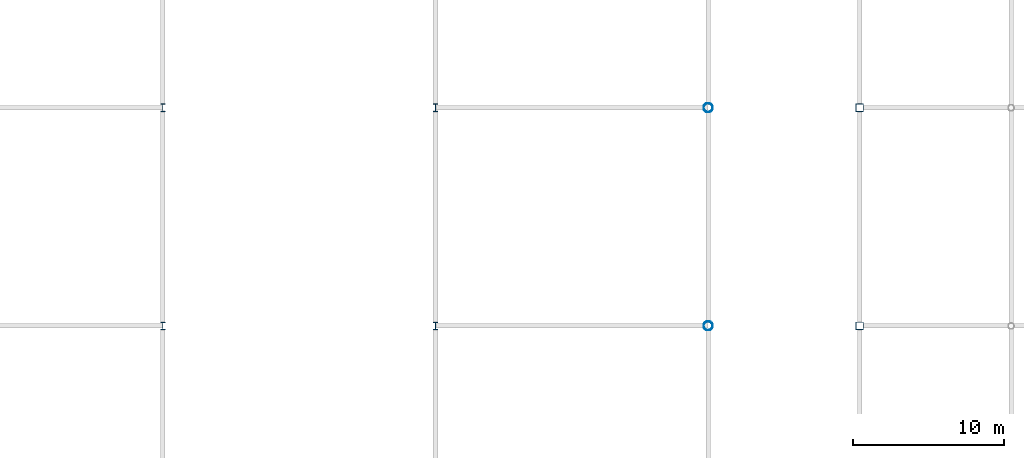
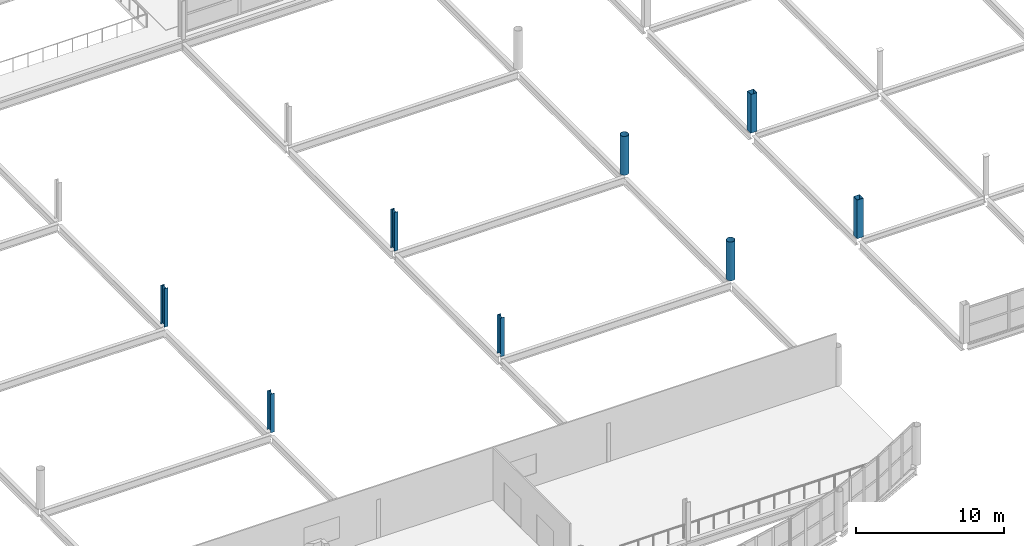
# One storey, part 6 of 134: 8 columns.
"""IFC4 building model written with IfcOpenShell, lengths in metres."""

from ifc_helpers import new_model, si_unit, direction, frame, origin, origin_2d, place, context, subcontext, project, spatial, hollow_rectangle, hollow_circle, i_section, extrude, material, material_profile, profile_set, type_object, element, save


model = new_model("IFC4")

# Units and contexts
model_context = context("Model", 3, precision=1e-05, world=origin(), true_north=direction((0.0, 1.0)))
body_context = subcontext(model_context, "Body", "Model", "MODEL_VIEW")
ifc_project = project(units=[si_unit("LENGTHUNIT", "METRE"), si_unit("AREAUNIT", "SQUARE_METRE"), si_unit("VOLUMEUNIT", "CUBIC_METRE"), si_unit("PLANEANGLEUNIT", "RADIAN"), si_unit("MASSUNIT", "GRAM", prefix="KILO")], contexts=[model_context])

# Site, building, storey
site_placement = place(None, origin())
site = spatial("IfcSite", under=ifc_project, at=site_placement, CompositionType="ELEMENT")
building_placement = place(site_placement, origin())
building = spatial("IfcBuilding", under=site, at=building_placement, Name="Tamarisk Ironworks Central Station", CompositionType="ELEMENT")
storey_placement = place(building_placement, frame((0.0, 0.0, 12.60009765625)))
storey = spatial("IfcBuildingStorey", under=building, at=storey_placement, Name="L02", CompositionType="ELEMENT", Elevation=12.60009765625)

# Columns
ifc_material_1 = material(Name="Structural steel S355J2", Category="steel")
ifc_material_profile_1 = material_profile(ifc_material_1, i_section(OverallWidth=0.300048828125, OverallDepth=0.5, WebThickness=0.014404296875, FlangeThickness=0.028076171875, at=origin_2d()), Name="HEB 500")
ifc_profile_set_1 = profile_set([ifc_material_profile_1], Name="Structural steel S355J2")
column_type_1 = type_object("IfcColumnType", Name="COL-S07", PredefinedType="COLUMN", material=ifc_profile_set_1)
for number, where, z_axis, x_axis, name in (
    (1, (72.0, 36.0, 0.0), (0.0, 0.0, 1.0), (1.0, 0.0, 0.0), "L02 column V2-09D"),
    (2, (72.0, 50.39990234375, 0.0), (0.0, 0.0, 1.0), (1.0, 0.0, 0.0), "L02 column V2-09E"),
    (3, (90.0, 36.0, 0.0), (0.0, 0.0, 1.0), (1.0, 0.0, 0.0), "L02 column V2-12D"),
    (4, (90.0, 50.39990234375, 0.0), (0.0, 0.0, 1.0), (1.0, 0.0, 0.0), "L02 column V2-12E"),
):
    element("IfcColumn", number, at=place(storey_placement, frame(where, z_axis=z_axis, x_axis=x_axis)), inside=storey, type_object=column_type_1, Name=name, PredefinedType="COLUMN", context=body_context, shape_type="SweptSolid", body=[
        extrude(i_section(OverallWidth=0.300048828125, OverallDepth=0.5, WebThickness=0.014404296875, FlangeThickness=0.028076171875, at=origin_2d()), origin(), (0.0, 0.0, 1.0), 3.199951171875),
    ])
ifc_material_2 = material(Name="Structural steel S355J2H", Category="steel")
ifc_material_profile_2 = material_profile(ifc_material_2, hollow_rectangle(XDim=0.5, YDim=0.5, WallThickness=0.02001953125, at=origin_2d()), Name="SHS 500x500x20")
ifc_profile_set_2 = profile_set([ifc_material_profile_2], Name="Structural steel S355J2H")
column_type_2 = type_object("IfcColumnType", Name="COL-S13", PredefinedType="COLUMN", material=ifc_profile_set_2)
for number, where, z_axis, x_axis, name in (
    (5, (118.0, 36.0, 0.0), (0.0, 0.0, 1.0), (1.0, 0.0, 0.0), "L02 column V1-15D"),
    (6, (118.0, 50.39990234375, 0.0), (0.0, 0.0, 1.0), (1.0, 0.0, 0.0), "L02 column V1-15E"),
):
    element("IfcColumn", number, at=place(storey_placement, frame(where, z_axis=z_axis, x_axis=x_axis)), inside=storey, type_object=column_type_2, Name=name, PredefinedType="COLUMN", context=body_context, shape_type="SweptSolid", body=[
        extrude(hollow_rectangle(XDim=0.5, YDim=0.5, WallThickness=0.02001953125, at=origin_2d()), origin(), (0.0, 0.0, 1.0), 3.199951171875),
    ])
ifc_material_3 = material(Name="Painted structural steel S355J2", Category="steel")
ifc_material_profile_3 = material_profile(ifc_material_3, hollow_circle(Radius=0.304931640625, WallThickness=0.02001953125, at=origin_2d()), Name="CHS 610x20")
ifc_profile_set_3 = profile_set([ifc_material_profile_3], Name="Painted structural steel S355J2")
column_type_3 = type_object("IfcColumnType", Name="COL-S15", PredefinedType="COLUMN", material=ifc_profile_set_3)
for number, where, z_axis, x_axis, name in (
    (7, (108.0, 36.0, 0.0), (0.0, 0.0, 1.0), (1.0, 0.0, 0.0), "L02 column V2-14D"),
    (8, (108.0, 50.39990234375, 0.0), (0.0, 0.0, 1.0), (1.0, 0.0, 0.0), "L02 column V2-14E"),
):
    element("IfcColumn", number, at=place(storey_placement, frame(where, z_axis=z_axis, x_axis=x_axis)), inside=storey, type_object=column_type_3, Name=name, PredefinedType="COLUMN", context=body_context, shape_type="SweptSolid", body=[
        extrude(hollow_circle(Radius=0.304931640625, WallThickness=0.02001953125, at=origin_2d()), origin(), (0.0, 0.0, 1.0), 3.199951171875),
    ])

save(model, "model.ifc")
